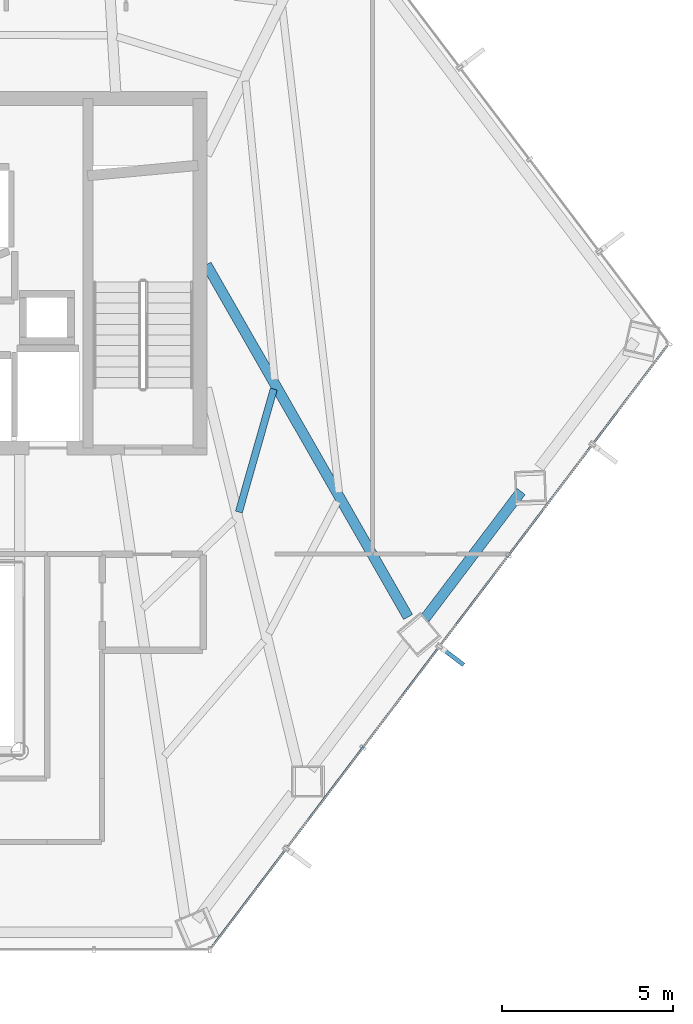
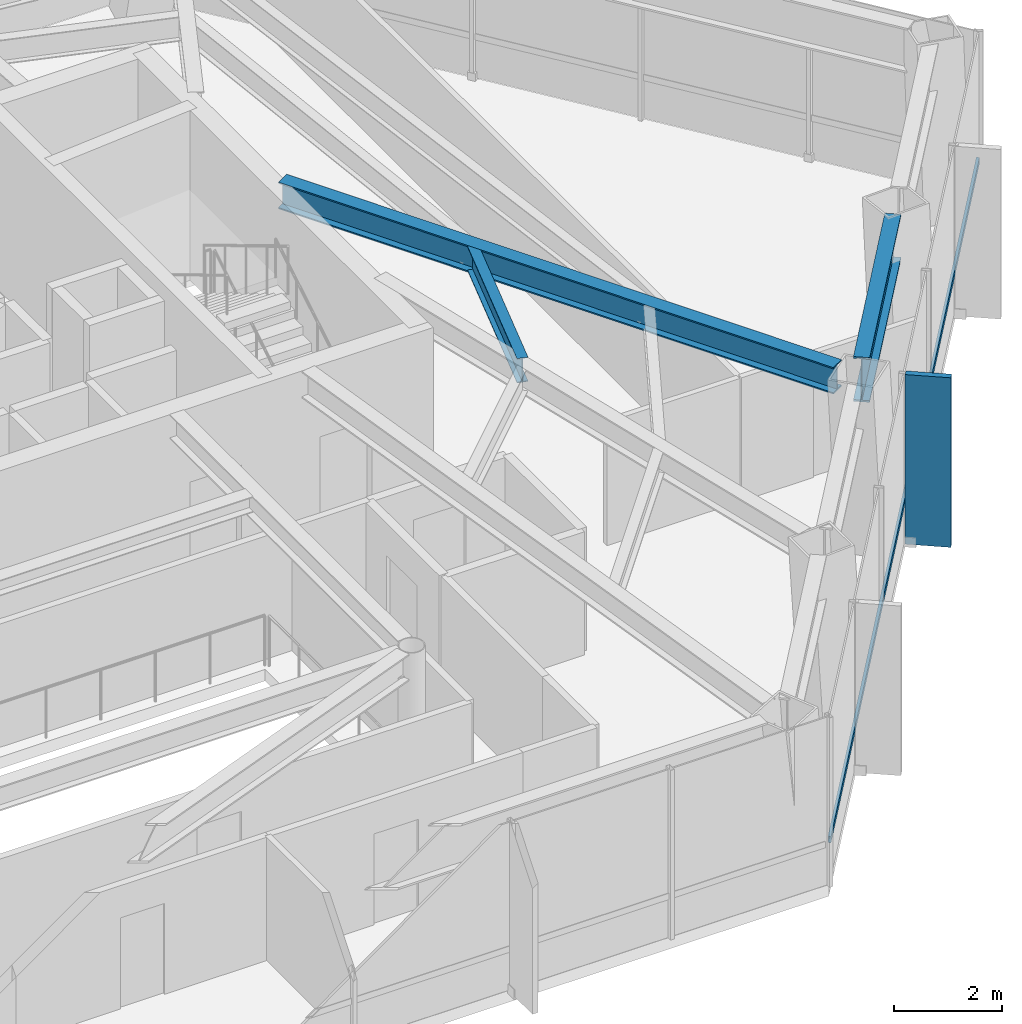
# One storey, part 18 of 27: 3 beams, 2 members, 1 element without a shape of its own.
"""IFC4 building model written with IfcOpenShell, lengths in metres."""

from ifc_helpers import new_model, si_unit, direction, frame, origin, origin_2d, place, context, subcontext, project, spatial, rectangle, hollow_rectangle, i_section, extrude, material, layer, layer_set, material_profile, profile_set, type_object, element, aggregate, save


model = new_model("IFC4")

# Units and contexts
model_context = context("Model", 3, precision=1e-05, world=origin(), true_north=direction((0.0, 1.0)))
body_context = subcontext(model_context, "Body", "Model", "MODEL_VIEW")
ifc_project = project(units=[si_unit("LENGTHUNIT", "METRE"), si_unit("AREAUNIT", "SQUARE_METRE"), si_unit("VOLUMEUNIT", "CUBIC_METRE"), si_unit("PLANEANGLEUNIT", "RADIAN"), si_unit("MASSUNIT", "GRAM", prefix="KILO")], contexts=[model_context])

# Site, building, storey
site_placement = place(None, origin())
site = spatial("IfcSite", under=ifc_project, at=site_placement, CompositionType="ELEMENT")
building_placement = place(site_placement, origin())
building = spatial("IfcBuilding", under=site, at=building_placement, Name="Zarrinselat Tower", CompositionType="ELEMENT")
storey_placement = place(building_placement, frame((0.0, 0.0, 80.580078125)))
storey = spatial("IfcBuildingStorey", under=building, at=storey_placement, Name="L19", CompositionType="ELEMENT", Elevation=80.580078125)

# Beams
ifc_material_1 = material(Name="Steel S355J2", Category="steel")
ifc_material_profile_1 = material_profile(ifc_material_1, i_section(OverallWidth=0.300048828125, OverallDepth=0.60009765625, WebThickness=0.015380859375, FlangeThickness=0.030029296875, at=origin_2d()), Name="HEB 600")
ifc_profile_set_1 = profile_set([ifc_material_profile_1], Name="Steel S355J2")
beam_type_1 = type_object("IfcBeamType", Name="BM-HEB600", PredefinedType="BEAM", material=ifc_profile_set_1)
beam_1_placement = place(storey_placement, frame((48.449951171875, 38.60009765625, 3.52001953125), z_axis=(0.496587078993, -0.867986908298, 0.0), x_axis=(0.867986908298, 0.496587078993, 0.0)))
element("IfcBeam", 1, at=beam_1_placement, inside=storey, type_object=beam_type_1, Name="L19 Radial Primary Girder RG13", PredefinedType="BEAM", context=body_context, shape_type="SweptSolid", body=[
    extrude(i_section(OverallWidth=0.300048828125, OverallDepth=0.60009765625, WebThickness=0.015380859375, FlangeThickness=0.030029296875, at=origin_2d()), origin(), (0.0, 0.0, 1.0), 11.849365234375),
])
ifc_material_2 = material(Name="Steel S460M", Category="steel")
ifc_material_profile_2 = material_profile(ifc_material_2, i_section(OverallWidth=0.302001953125, OverallDepth=1.008056640625, WebThickness=0.02099609375, FlangeThickness=0.0400390625, at=origin_2d()), Name="HEM 1000")
ifc_profile_set_2 = profile_set([ifc_material_profile_2], Name="Steel S460M")
beam_type_2 = type_object("IfcBeamType", Name="BM-HEM1000", PredefinedType="BEAM", material=ifc_profile_set_2)
beam_2_placement = place(storey_placement, frame((54.8232421875, 28.271728515625, 3.31591796875), z_axis=(0.603822320769, 0.797118940273, 0.0), x_axis=(-0.797118940273, 0.603822320769, 0.0)))
element("IfcBeam", 2, at=beam_2_placement, inside=storey, type_object=beam_type_2, Name="L19 Perimeter Spandrel Girder SP13", PredefinedType="BEAM", context=body_context, shape_type="SweptSolid", body=[
    extrude(i_section(OverallWidth=0.302001953125, OverallDepth=1.008056640625, WebThickness=0.02099609375, FlangeThickness=0.0400390625, at=origin_2d()), origin(), (0.0, 0.0, 1.0), 4.65185546875),
])
ifc_material_3 = material(Name="Steel S355J2", Category="steel")
ifc_material_profile_3 = material_profile(ifc_material_3, i_section(OverallWidth=0.2099609375, OverallDepth=0.550048828125, WebThickness=0.010986328125, FlangeThickness=0.01708984375, at=origin_2d()), Name="IPE 550")
ifc_profile_set_3 = profile_set([ifc_material_profile_3], Name="Steel S355J2")
beam_type_3 = type_object("IfcBeamType", Name="BM-IPE550", PredefinedType="JOIST", material=ifc_profile_set_3)
beam_3_placement = place(storey_placement, frame((49.394287109375, 31.379638671875, 3.544921875), z_axis=(0.272905466945, 0.9620408547, 0.0), x_axis=(-0.9620408547, 0.272905466945, 0.0)))
element("IfcBeam", 3, at=beam_3_placement, inside=storey, type_object=beam_type_3, Name="L19 Composite Floor Joist 4-2", PredefinedType="JOIST", context=body_context, shape_type="SweptSolid", body=[
    extrude(i_section(OverallWidth=0.2099609375, OverallDepth=0.550048828125, WebThickness=0.010986328125, FlangeThickness=0.01708984375, at=origin_2d()), origin(), (0.0, 0.0, 1.0), 3.73046875),
])

# Curtain wall, members
ifc_material_4 = material(Name="Extruded Aluminium Alloy EN AW-6063 T6", Category="aluminium")
ifc_layer = layer(ifc_material_4, 0.18505859375)
ifc_layer_set = layer_set([ifc_layer], Name="Extruded Aluminium Alloy EN AW-6063 T6")
curtain_wall_type = type_object("IfcCurtainWallType", Name="CWS-OFF", PredefinedType="NOTDEFINED", material=ifc_layer_set)
curtain_wall_placement = place(storey_placement, origin())
curtain_wall = element("IfcCurtainWall", 4, at=curtain_wall_placement, inside=storey, type_object=curtain_wall_type, Name="L19 Unitised Curtain Wall CW-L19-E05", PredefinedType="NOTDEFINED")
ifc_material_5 = material(Name="Extruded Aluminium Alloy EN AW-6063 T6", Category="aluminium")
ifc_material_profile_4 = material_profile(ifc_material_5, hollow_rectangle(XDim=0.06005859375, YDim=0.139892578125, WallThickness=0.00390625, at=origin_2d()), Name="RHS 140x60x4")
ifc_profile_set_4 = profile_set([ifc_material_profile_4], Name="Extruded Aluminium Alloy EN AW-6063 T6")
member_type_1 = type_object("IfcMemberType", Name="MEM-CW-TRN", PredefinedType="USERDEFINED", material=ifc_profile_set_4)
member_1_placement = place(storey_placement, frame((48.599609375, 18.676513671875, 0.949951171875), z_axis=(0.603851071095, 0.797097160914, 0.0), x_axis=(-0.797097160914, 0.603851071095, 0.0)))
member_1 = element("IfcMember", 5, at=member_1_placement, type_object=member_type_1, Name="CW-L19-E05 Transom 1", ObjectType="TRANSOM", PredefinedType="USERDEFINED", context=body_context, shape_type="SweptSolid", body=[
    extrude(hollow_rectangle(XDim=0.06005859375, YDim=0.139892578125, WallThickness=0.00390625, at=origin_2d()), origin(), (0.0, 0.0, 1.0), 22.021728515625),
])
ifc_material_6 = material(Name="Honed Cream Travertine Stone", Category="masonry")
ifc_material_profile_5 = material_profile(ifc_material_6, rectangle(XDim=0.1201171875, YDim=0.85009765625, at=origin_2d()), Name="FIN 850x120")
ifc_profile_set_5 = profile_set([ifc_material_profile_5], Name="Honed Cream Travertine Stone")
member_type_2 = type_object("IfcMemberType", Name="MEM-STONE-FIN", PredefinedType="USERDEFINED", material=ifc_profile_set_5)
member_2_placement = place(storey_placement, frame((55.615234375, 27.175537109375, 0.0), z_axis=(0.0, 0.0, 1.0), x_axis=(-0.603855086386, -0.797094119063, 0.0)))
member_2 = element("IfcMember", 6, at=member_2_placement, type_object=member_type_2, Name="L19 Stone Shading Fin CW-L19-E05-03", ObjectType="FIN", PredefinedType="USERDEFINED", context=body_context, shape_type="SweptSolid", body=[
    extrude(rectangle(XDim=0.1201171875, YDim=0.85009765625, at=origin_2d()), origin(), (0.0, 0.0, 1.0), 3.81982421875),
])
aggregate(curtain_wall, [member_2, member_1])

save(model, "model.ifc")
